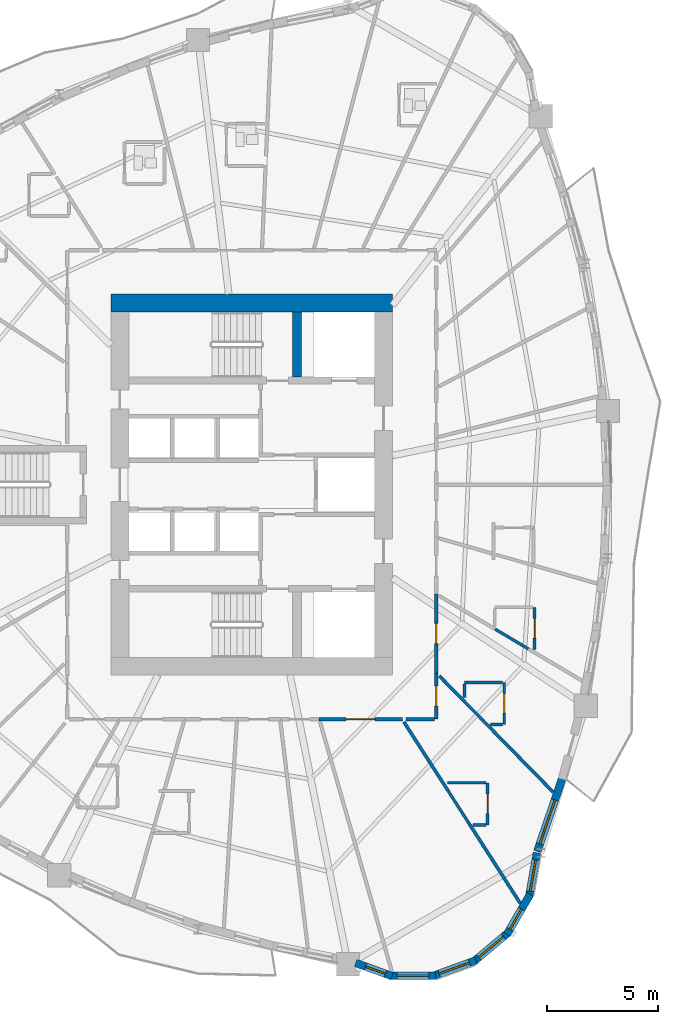
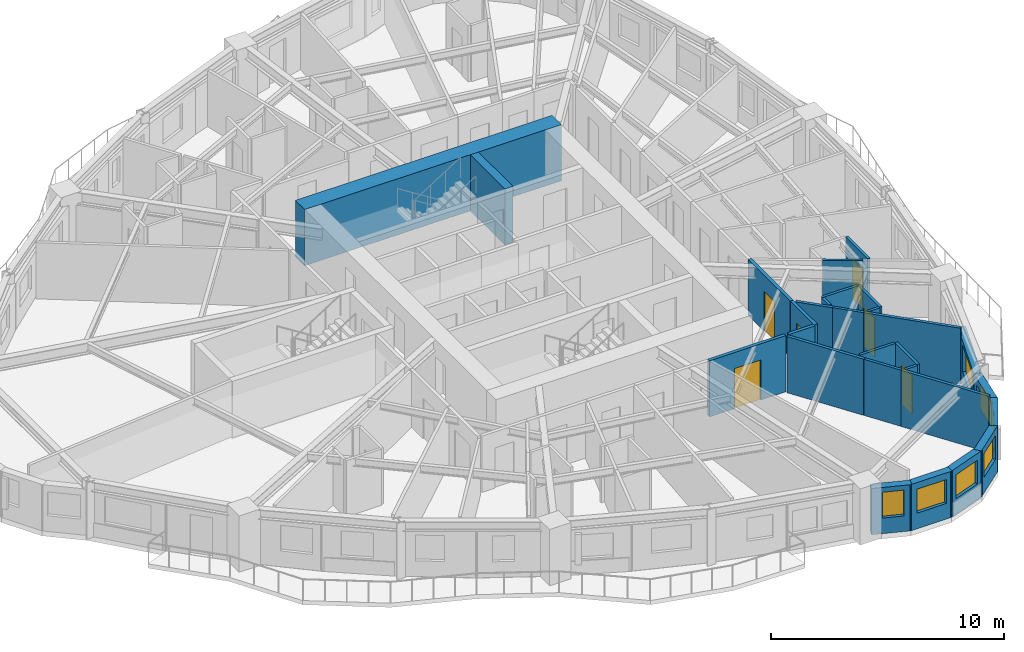
# One storey, part 6 of 14: 28 walls, 7 windows, 6 doors, 13 openings.
"""IFC4 building model written with IfcOpenShell, lengths in metres."""

import ifcopenshell
import ifcopenshell.guid

model = None  # the IFC model being written
_history = None  # IfcOwnerHistory: only IFC2X3 demands one
_inside = {}  # id of a spatial element -> (the spatial element, [elements in it])
_under = {}  # id of a project, library or spatial element -> (it, [spatial elements below it])
_declared = {}  # id of a project -> (the project, [libraries it declares])
_typed = {}  # id of a type object -> (the type object, [elements of that type])
_made_of = {}  # id of a material, layer set ... -> (it, [elements and type objects made of it])


def new_model(schema):
    """Start an empty IFC model of exactly this schema.

    Asked for "IFC4X3", IfcOpenShell would pick the latest addendum, in which some entities
    have other attributes; the version numbers below select the first issue.
    IFC2X3 requires an IfcOwnerHistory on every rooted entity: one is made here for all.
    """
    global model, _history
    if schema == "IFC4X3":
        model = ifcopenshell.file(schema_version=(4, 3, 0, 0))
    else:
        model = ifcopenshell.file(schema=schema)
    _inside.clear()
    _under.clear()
    _declared.clear()
    _typed.clear()
    _made_of.clear()
    _history = None
    if model.schema == "IFC2X3":
        org = make("IfcOrganization", Name="unknown")
        user = make(
            "IfcPersonAndOrganization",
            ThePerson=make("IfcPerson", FamilyName="unknown"),
            TheOrganization=org,
        )
        app = make(
            "IfcApplication",
            ApplicationDeveloper=org,
            Version="unknown",
            ApplicationFullName="unknown",
            ApplicationIdentifier="unknown",
        )
        _history = make(
            "IfcOwnerHistory",
            OwningUser=user,
            OwningApplication=app,
            ChangeAction="ADDED",
            CreationDate=0,
        )
    return model


def make(cls, **values):
    """One entity of the class cls with the attributes given. An attribute that is None is left unset."""
    return model.create_entity(
        cls, **{name: value for name, value in values.items() if value is not None}
    )


def rooted(cls, **values):
    """An entity with a GlobalId (a new one), such as an element, a storey or a relation."""
    return make(cls, GlobalId=ifcopenshell.guid.new(), OwnerHistory=_history, **values)


def si_unit(unit_type, name, prefix=None):
    """IfcSIUnit, for example si_unit("LENGTHUNIT", "METRE", prefix="MILLI")."""
    return make("IfcSIUnit", UnitType=unit_type, Prefix=prefix, Name=name)


def assignment(units):
    """IfcUnitAssignment: the units of a project."""
    return None if units is None else make("IfcUnitAssignment", Units=units)


def point(xyz):
    """IfcCartesianPoint."""
    return None if xyz is None else make("IfcCartesianPoint", Coordinates=xyz)


def direction(xyz):
    """IfcDirection."""
    return None if xyz is None else make("IfcDirection", DirectionRatios=xyz)


def frame(location, z_axis=None, x_axis=None):
    """IfcAxis2Placement3D, a coordinate frame: its origin and axes. An axis left out is left unset."""
    return make(
        "IfcAxis2Placement3D",
        Location=point(location),
        Axis=direction(z_axis),
        RefDirection=direction(x_axis),
    )


def frame_2d(location, x_axis=None):
    """IfcAxis2Placement2D, a coordinate frame in the plane: its origin and x axis."""
    return make(
        "IfcAxis2Placement2D", Location=point(location), RefDirection=direction(x_axis)
    )


def origin():
    """The frame at (0, 0, 0) with its axes left unset."""
    return frame((0.0, 0.0, 0.0))


def place(relative_to, where):
    """IfcLocalPlacement: puts the frame where relative to a parent placement (None: the world)."""
    return make(
        "IfcLocalPlacement", PlacementRelTo=relative_to, RelativePlacement=where
    )


def context(
    kind, dimensions, precision=None, world=None, true_north=None, identifier=None
):
    """IfcGeometricRepresentationContext, for example the 3D "Model" context."""
    return make(
        "IfcGeometricRepresentationContext",
        ContextIdentifier=identifier,
        ContextType=kind,
        CoordinateSpaceDimension=dimensions,
        Precision=precision,
        WorldCoordinateSystem=world,
        TrueNorth=true_north,
    )


def subcontext(parent, identifier, kind, view, scale=None):
    """IfcGeometricRepresentationSubContext, for example "Body" below "Model"."""
    return make(
        "IfcGeometricRepresentationSubContext",
        ContextIdentifier=identifier,
        ContextType=kind,
        ParentContext=parent,
        TargetScale=scale,
        TargetView=view,
    )


def project(units=None, contexts=None):
    """IfcProject with its units and contexts."""
    return rooted(
        "IfcProject",
        Name="project",
        RepresentationContexts=contexts,
        UnitsInContext=assignment(units),
    )


def spatial(cls, under=None, at=None, **own):
    """A site, building, storey or space (cls), placed at a placement, below another one or the project."""
    s = rooted(cls, ObjectPlacement=at, **own)
    if under is not None:
        _under.setdefault(under.id(), (under, []))[1].append(s)
    return s


def profile(cls, at=None, kind="AREA", **sizes):
    """A parametric profile (cls). Its sizes go by their IFC names, for example OverallWidth=200.0."""
    return make(cls, ProfileType=kind, Position=at, **sizes)


def rectangle(**sizes):
    """IfcRectangleProfileDef."""
    return profile("IfcRectangleProfileDef", **sizes)


def extrude(swept, where, along, depth):
    """IfcExtrudedAreaSolid: the profile swept, set in the frame where, extruded along a direction by depth."""
    return make(
        "IfcExtrudedAreaSolid",
        SweptArea=swept,
        Position=where,
        ExtrudedDirection=direction(along),
        Depth=depth,
    )


def shape(context_of_items, identifier, shape_type, items):
    """IfcShapeRepresentation: the items that make up one representation, for example the "Body"."""
    return make(
        "IfcShapeRepresentation",
        ContextOfItems=context_of_items,
        RepresentationIdentifier=identifier,
        RepresentationType=shape_type,
        Items=items,
    )


def source(mapping_origin, context_of_items, identifier, shape_type, items):
    """IfcRepresentationMap: a shape defined once, which mapped items show again and again."""
    return make(
        "IfcRepresentationMap",
        MappingOrigin=mapping_origin,
        MappedRepresentation=shape(context_of_items, identifier, shape_type, items),
    )


def transform(
    local_origin,
    x_axis=None,
    y_axis=None,
    z_axis=None,
    scale=None,
    scale2=None,
    scale3=None,
    uniform=True,
):
    """IfcCartesianTransformationOperator3D, or its non-uniform kind. x_axis, y_axis, z_axis: its Axis1, 2, 3."""
    if uniform:
        return make(
            "IfcCartesianTransformationOperator3D",
            Axis1=direction(x_axis),
            Axis2=direction(y_axis),
            LocalOrigin=point(local_origin),
            Scale=scale,
            Axis3=direction(z_axis),
        )
    return make(
        "IfcCartesianTransformationOperator3DnonUniform",
        Axis1=direction(x_axis),
        Axis2=direction(y_axis),
        LocalOrigin=point(local_origin),
        Scale=scale,
        Axis3=direction(z_axis),
        Scale2=scale2,
        Scale3=scale3,
    )


def mapped(mapping_source, mapping_target):
    """IfcMappedItem: shows the shape of a source again, moved by a transform."""
    return make(
        "IfcMappedItem", MappingSource=mapping_source, MappingTarget=mapping_target
    )


def material(Name=None, Category=None):
    """IfcMaterial."""
    return make("IfcMaterial", Name=Name, Category=Category)


def layer(
    of_material, thickness, ventilated=None, Name=None, Category=None, Priority=None
):
    """IfcMaterialLayer: one layer of a wall or slab, of a material (None: an air gap)."""
    return make(
        "IfcMaterialLayer",
        Material=of_material,
        LayerThickness=thickness,
        IsVentilated=ventilated,
        Name=Name,
        Category=Category,
        Priority=Priority,
    )


def layer_set(layers, Name=None):
    """IfcMaterialLayerSet."""
    return make("IfcMaterialLayerSet", MaterialLayers=layers, LayerSetName=Name)


def made_of(thing, what):
    """Note that an element or type object is made of a material, layer set ...; save() writes the relation."""
    if what is not None:
        _made_of.setdefault(what.id(), (what, []))[1].append(thing)
    return thing


def type_object(cls, material=None, **own):
    """A type object (cls), such as IfcWallType, which elements share."""
    return made_of(rooted(cls, **own), material)


def element(
    cls,
    number,
    at=None,
    inside=None,
    cuts=None,
    type_object=None,
    material=None,
    context=None,
    identifier="Body",
    shape_type=None,
    held_by="IfcProductDefinitionShape",
    body=None,
    shapes=None,
    **own,
):
    """One element of the class cls, such as IfcWall. Its Tag is "e" and its number.

    at: its placement. inside: the storey or other place that contains it. cuts: it is an
    opening in that element (IfcRelVoidsElement). A single representation is given by context,
    identifier, shape_type and body (its items); several are given by shapes. held_by: the class
    of the entity that holds the representations. save() writes the other relations.
    """
    e = rooted(cls, Tag="e%d" % number, ObjectPlacement=at, **own)
    if body is not None:
        shapes = [shape(context, identifier, shape_type, body)]
    if shapes is not None:
        e.Representation = make(held_by, Representations=shapes)
    if inside is not None:
        _inside.setdefault(inside.id(), (inside, []))[1].append(e)
    if cuts is not None:
        rooted(
            "IfcRelVoidsElement", RelatingBuildingElement=cuts, RelatedOpeningElement=e
        )
    if type_object is not None:
        _typed.setdefault(type_object.id(), (type_object, []))[1].append(e)
    return made_of(e, material)


def fill(opening, filler):
    """IfcRelFillsElement: the door or window that sits in an opening."""
    return rooted(
        "IfcRelFillsElement",
        RelatingOpeningElement=opening,
        RelatedBuildingElement=filler,
    )


def aggregate(whole, parts):
    """IfcRelAggregates: a whole, such as a stair, and the parts it consists of."""
    return rooted("IfcRelAggregates", RelatingObject=whole, RelatedObjects=parts)


def save(model, path):
    """Write the relations noted so far, then the file.

    IfcRelAggregates (storeys below a building ...), IfcRelContainedInSpatialStructure (elements
    in a storey), IfcRelDefinesByType, IfcRelAssociatesMaterial and IfcRelDeclares: one each for
    every whole, place, type object, material and project.
    """
    for whole, parts in _under.values():
        aggregate(whole, parts)
    for where, things in _inside.values():
        rooted(
            "IfcRelContainedInSpatialStructure",
            RelatedElements=things,
            RelatingStructure=where,
        )
    for kind, things in _typed.values():
        rooted("IfcRelDefinesByType", RelatedObjects=things, RelatingType=kind)
    for what, things in _made_of.values():
        rooted("IfcRelAssociatesMaterial", RelatedObjects=things, RelatingMaterial=what)
    for by, libraries in _declared.values():
        rooted("IfcRelDeclares", RelatingContext=by, RelatedDefinitions=libraries)
    model.write(path)


model = new_model("IFC4")

# Units and contexts
model_context = context("Model", 3, precision=1e-05, world=origin(), true_north=direction((0.0, 1.0)))
body_context = subcontext(model_context, "Body", "Model", "MODEL_VIEW")
ifc_project = project(units=[si_unit("LENGTHUNIT", "METRE"), si_unit("AREAUNIT", "SQUARE_METRE"), si_unit("VOLUMEUNIT", "CUBIC_METRE"), si_unit("PLANEANGLEUNIT", "RADIAN"), si_unit("MASSUNIT", "GRAM", prefix="KILO")], contexts=[model_context])

# Site, building, storey
site_placement = place(None, origin())
site = spatial("IfcSite", under=ifc_project, at=site_placement, CompositionType="ELEMENT")
building_placement = place(site_placement, origin())
building = spatial("IfcBuilding", under=site, at=building_placement, Name="Qafzar Sky-Pleat Residences", CompositionType="ELEMENT")
storey_placement = place(building_placement, frame((0.0, 0.0, 14.199951171875)))
storey = spatial("IfcBuildingStorey", under=building, at=storey_placement, Name="L03", CompositionType="ELEMENT", Elevation=14.199951171875)

# Wall, opening, door
ifc_material_1 = material(Name="Acoustic gypsum plasterboard partition", Category="gypsum")
ifc_layer_1 = layer(ifc_material_1, 0.159912109375)
ifc_layer_set_1 = layer_set([ifc_layer_1], Name="Acoustic gypsum plasterboard partition")
wall_type_1 = type_object("IfcWallType", Name="PART-COR-160", PredefinedType="PARTITIONING", material=ifc_layer_set_1)
wall_1_placement = place(storey_placement, frame((37.154052734375, 15.419921875, 0.0), z_axis=(0.0, 0.0, 1.0), x_axis=(-1.0, 0.0, 0.0)))
wall_1 = element("IfcWall", 1, at=wall_1_placement, inside=storey, type_object=wall_type_1, Name="L03 Partition Wall PART-L03-PW-002", PredefinedType="PARTITIONING", context=body_context, shape_type="SweptSolid", body=[
    extrude(rectangle(XDim=3.774169921875, YDim=0.159912109375, at=frame_2d((1.88720703125, 0.0))), origin(), (0.0, 0.0, 1.0), 2.93994140625),
])
opening_1_placement = place(wall_1_placement, frame((1.238525390625, 0.0, 0.0)))
opening_1 = element("IfcOpeningElement", 2, at=opening_1_placement, cuts=wall_1, Name="Opening ID-05", PredefinedType="OPENING", context=body_context, shape_type="SweptSolid", body=[
    extrude(rectangle(XDim=1.300048828125, YDim=2.10009765625, at=frame_2d((0.64990234375, 1.050048828125))), frame((0.0, 0.08984375, 0.0), z_axis=(0.0, -1.0, 0.0), x_axis=(1.0, 0.0, 0.0)), (0.0, 0.0, 1.0), 0.179931640625),
])
ifc_material_2 = material(Name="Timber-faced fire door", Category="wood")
door_type_1 = type_object("IfcDoorType", Name="DR-LNG-1300", OperationType="DOUBLE_DOOR_SINGLE_SWING", PredefinedType="DOOR", material=ifc_material_2)
shared_shape_1 = source(origin(), body_context, "Body", "SweptSolid", [
    extrude(rectangle(XDim=1.300048828125, YDim=2.10009765625, at=frame_2d((0.64990234375, 1.050048828125))), frame((0.0, 0.02490234375, 0.0), z_axis=(0.0, -1.0, 0.0), x_axis=(1.0, 0.0, 0.0)), (0.0, 0.0, 1.0), 0.050048828125),
])
door_1_placement = place(opening_1_placement, origin())
door_1 = element("IfcDoor", 3, at=door_1_placement, inside=storey, type_object=door_type_1, Name="L03 Co-Living Lounge Door", OperationType="DOUBLE_DOOR_SINGLE_SWING", OverallHeight=2.10009765625, OverallWidth=1.300048828125, PredefinedType="DOOR", context=body_context, shape_type="MappedRepresentation", body=[
    mapped(shared_shape_1, transform((0.0, 0.0, 0.0), x_axis=(1.0, 0.0, 0.0), y_axis=(0.0, 1.0, 0.0), z_axis=(0.0, 0.0, 1.0), scale=1.0)),
])
fill(opening_1, door_1)

wall_2_placement = place(storey_placement, frame((38.679931640625, 21.072998046875, 0.0), z_axis=(0.0, 0.0, 1.0), x_axis=(0.0, -1.0, 0.0)))
wall_2 = element("IfcWall", 4, at=wall_2_placement, inside=storey, type_object=wall_type_1, Name="L03 Partition Wall PART-L03-PW-004", PredefinedType="PARTITIONING", context=body_context, shape_type="SweptSolid", body=[
    extrude(rectangle(XDim=3.589111328125, YDim=0.159912109375, at=frame_2d((1.79443359375, 0.0))), origin(), (0.0, 0.0, 1.0), 2.93994140625),
])
opening_2_placement = place(wall_2_placement, frame((1.3330078125, 0.0, 0.0)))
opening_2 = element("IfcOpeningElement", 5, at=opening_2_placement, cuts=wall_2, Name="Opening ID-04", PredefinedType="OPENING", context=body_context, shape_type="SweptSolid", body=[
    extrude(rectangle(XDim=0.919921875, YDim=2.10009765625, at=frame_2d((0.4599609375, 1.050048828125))), frame((0.0, 0.08984375, 0.0), z_axis=(0.0, -1.0, 0.0), x_axis=(1.0, 0.0, 0.0)), (0.0, 0.0, 1.0), 0.179931640625),
])
door_type_2 = type_object("IfcDoorType", Name="DR-BED-920", OperationType="NOTDEFINED", PredefinedType="DOOR", material=ifc_material_2)
shared_shape_2 = source(origin(), body_context, "Body", "SweptSolid", [
    extrude(rectangle(XDim=0.919921875, YDim=2.10009765625, at=frame_2d((0.4599609375, 1.050048828125))), frame((0.0, 0.02490234375, 0.0), z_axis=(0.0, -1.0, 0.0), x_axis=(1.0, 0.0, 0.0)), (0.0, 0.0, 1.0), 0.050048828125),
])
door_2_placement = place(opening_2_placement, origin())
door_2 = element("IfcDoor", 6, at=door_2_placement, inside=storey, type_object=door_type_2, Name="L03 Co-Living Bedroom 18 Door", OperationType="SINGLE_SWING_LEFT", OverallHeight=2.10009765625, OverallWidth=0.919921875, PredefinedType="DOOR", context=body_context, shape_type="MappedRepresentation", body=[
    mapped(shared_shape_2, transform((0.0, 0.0, 0.0), x_axis=(1.0, 0.0, 0.0), y_axis=(0.0, 1.0, 0.0), z_axis=(0.0, 0.0, 1.0), scale=1.0)),
])
fill(opening_2, door_2)

wall_3_placement = place(storey_placement, frame((38.679931640625, 17.468994140625, 0.0), z_axis=(0.0, 0.0, 1.0), x_axis=(0.0, -1.0, 0.0)))
wall_3 = element("IfcWall", 7, at=wall_3_placement, inside=storey, type_object=wall_type_1, Name="L03 Partition Wall PART-L03-PW-022", PredefinedType="PARTITIONING", context=body_context, shape_type="SweptSolid", body=[
    extrude(rectangle(XDim=2.049072265625, YDim=0.159912109375, at=frame_2d((1.0244140625, 0.0))), origin(), (0.0, 0.0, 1.0), 2.93994140625),
])
opening_3_placement = place(wall_3_placement, frame((0.54638671875, 0.0, 0.0)))
opening_3 = element("IfcOpeningElement", 8, at=opening_3_placement, cuts=wall_3, Name="Opening ID-04", PredefinedType="OPENING", context=body_context, shape_type="SweptSolid", body=[
    extrude(rectangle(XDim=0.919921875, YDim=2.10009765625, at=frame_2d((0.4599609375, 1.050048828125))), frame((0.0, 0.08984375, 0.0), z_axis=(0.0, -1.0, 0.0), x_axis=(1.0, 0.0, 0.0)), (0.0, 0.0, 1.0), 0.179931640625),
])
door_3_placement = place(opening_3_placement, origin())
door_3 = element("IfcDoor", 9, at=door_3_placement, inside=storey, type_object=door_type_2, Name="L03 Co-Living Bedroom 17 Door", OperationType="SINGLE_SWING_RIGHT", OverallHeight=2.10009765625, OverallWidth=0.919921875, PredefinedType="DOOR", context=body_context, shape_type="MappedRepresentation", body=[
    mapped(shared_shape_2, transform((0.0, 0.0, 0.0), x_axis=(1.0, 0.0, 0.0), y_axis=(0.0, 1.0, 0.0), z_axis=(0.0, 0.0, 1.0), scale=1.0)),
])
fill(opening_3, door_3)

# Walls
wall_4_placement = place(storey_placement, frame((37.314453125, 15.419921875, 0.0), z_axis=(0.0, 0.0, 1.0), x_axis=(1.0, 0.0, 0.0)))
element("IfcWall", 10, at=wall_4_placement, inside=storey, type_object=wall_type_1, Name="L03 Partition Wall PART-L03-PW-099", PredefinedType="PARTITIONING", context=body_context, shape_type="SweptSolid", body=[
    extrude(rectangle(XDim=1.277587890625, YDim=0.159912109375, at=frame_2d((0.638671875, 0.0))), origin(), (0.0, 0.0, 1.0), 2.93994140625),
])
ifc_layer_2 = layer(ifc_material_1, 0.14501953125)
ifc_layer_set_2 = layer_set([ifc_layer_2], Name="Acoustic gypsum plasterboard partition")
wall_type_2 = type_object("IfcWallType", Name="PART-UNIT-145", PredefinedType="PARTITIONING", material=ifc_layer_set_2)
wall_5_placement = place(storey_placement, frame((40.949951171875, 15.18994140625, 0.0), z_axis=(0.0, 0.0, 1.0), x_axis=(0.700142401903, -0.714003233226, 0.0)))
element("IfcWall", 11, at=wall_5_placement, inside=storey, type_object=wall_type_2, Name="L03 Partition Wall PART-L03-PW-058", PredefinedType="PARTITIONING", context=body_context, shape_type="SweptSolid", body=[
    extrude(rectangle(XDim=4.2978515625, YDim=0.14501953125, at=frame_2d((2.14892578125, 0.0))), origin(), (0.0, 0.0, 1.0), 2.93994140625),
])
wall_6_placement = place(storey_placement, frame((40.19091796875, 10.657958984375, 0.0), z_axis=(0.0, 0.0, 1.0), x_axis=(0.539757550566, -0.841820519236, 0.0)))
element("IfcWall", 12, at=wall_6_placement, inside=storey, type_object=wall_type_2, Name="L03 Partition Wall PART-L03-PW-059", PredefinedType="PARTITIONING", context=body_context, shape_type="SweptSolid", body=[
    extrude(rectangle(XDim=4.221435546875, YDim=0.14501953125, at=frame_2d((2.11083984375, 0.0))), origin(), (0.0, 0.0, 1.0), 2.93994140625),
])
wall_7_placement = place(storey_placement, frame((37.216796875, 15.294189453125, 0.0), z_axis=(0.0, 0.0, 1.0), x_axis=(0.539878709929, -0.841742822105, 0.0)))
element("IfcWall", 13, at=wall_7_placement, inside=storey, type_object=wall_type_2, Name="L03 Partition Wall PART-L03-PW-060", PredefinedType="PARTITIONING", context=body_context, shape_type="SweptSolid", body=[
    extrude(rectangle(XDim=3.693603515625, YDim=0.14501953125, at=frame_2d((1.8466796875, 0.0))), origin(), (0.0, 0.0, 1.0), 2.93994140625),
])
wall_8_placement = place(storey_placement, frame((38.8173828125, 17.364990234375, 0.0), z_axis=(0.0, 0.0, 1.0), x_axis=(0.70029627305, -0.713852316626, 0.0)))
element("IfcWall", 14, at=wall_8_placement, inside=storey, type_object=wall_type_2, Name="L03 Partition Wall PART-L03-PW-078", PredefinedType="PARTITIONING", context=body_context, shape_type="SweptSolid", body=[
    extrude(rectangle(XDim=1.638916015625, YDim=0.14501953125, at=frame_2d((0.8193359375, 0.0))), origin(), (0.0, 0.0, 1.0), 2.93994140625),
])

# Wall, opening, door
ifc_material_3 = material(Name="Moisture-resistant gypsum partition", Category="gypsum")
ifc_layer_3 = layer(ifc_material_3, 0.1298828125)
ifc_layer_set_3 = layer_set([ifc_layer_3], Name="Moisture-resistant gypsum partition")
wall_type_3 = type_object("IfcWallType", Name="PART-WET-130", PredefinedType="PARTITIONING", material=ifc_layer_set_3)
wall_9_placement = place(storey_placement, frame((43.1201171875, 18.56591796875, 0.0), z_axis=(0.0, 0.0, 1.0), x_axis=(0.0, 1.0, 0.0)))
wall_9 = element("IfcWall", 15, at=wall_9_placement, inside=storey, type_object=wall_type_3, Name="L03 Partition Wall PART-L03-PW-024", PredefinedType="PARTITIONING", context=body_context, shape_type="SweptSolid", body=[
    extrude(rectangle(XDim=1.900146484375, YDim=0.1298828125, at=frame_2d((0.9501953125, 0.0))), origin(), (0.0, 0.0, 1.0), 2.93994140625),
])
opening_4_placement = place(wall_9_placement, frame((0.510009765625, 0.0, 0.0)))
opening_4 = element("IfcOpeningElement", 16, at=opening_4_placement, cuts=wall_9, Name="Opening ID-07", PredefinedType="OPENING", context=body_context, shape_type="SweptSolid", body=[
    extrude(rectangle(XDim=0.8798828125, YDim=2.050048828125, at=frame_2d((0.43994140625, 1.02490234375))), frame((0.0, 0.074951171875, 0.0), z_axis=(0.0, -1.0, 0.0), x_axis=(1.0, 0.0, 0.0)), (0.0, 0.0, 1.0), 0.14990234375),
])
door_type_3 = type_object("IfcDoorType", Name="DR-WET-880", OperationType="NOTDEFINED", PredefinedType="DOOR", material=ifc_material_2)
shared_shape_3 = source(origin(), body_context, "Body", "SweptSolid", [
    extrude(rectangle(XDim=0.8798828125, YDim=2.050048828125, at=frame_2d((0.43994140625, 1.02490234375))), frame((0.0, 0.02490234375, 0.0), z_axis=(0.0, -1.0, 0.0), x_axis=(1.0, 0.0, 0.0)), (0.0, 0.0, 1.0), 0.050048828125),
])
door_4_placement = place(opening_4_placement, origin())
door_4 = element("IfcDoor", 17, at=door_4_placement, inside=storey, type_object=door_type_3, Name="L03 En-suite Bathroom 19 Door", OperationType="SINGLE_SWING_RIGHT", OverallHeight=2.050048828125, OverallWidth=0.8798828125, PredefinedType="DOOR", context=body_context, shape_type="MappedRepresentation", body=[
    mapped(shared_shape_3, transform((0.0, 0.0, 0.0), x_axis=(1.0, 0.0, 0.0), y_axis=(0.0, 1.0, 0.0), z_axis=(0.0, 0.0, 1.0), scale=1.0)),
])
fill(opening_4, door_4)

wall_10_placement = place(storey_placement, frame((40.99609375, 10.64306640625, 0.0), z_axis=(0.0, 0.0, 1.0), x_axis=(0.0, 1.0, 0.0)))
wall_10 = element("IfcWall", 18, at=wall_10_placement, inside=storey, type_object=wall_type_3, Name="L03 Partition Wall PART-L03-PW-033", PredefinedType="PARTITIONING", context=body_context, shape_type="SweptSolid", body=[
    extrude(rectangle(XDim=1.89990234375, YDim=0.1298828125, at=frame_2d((0.949951171875, 0.0))), origin(), (0.0, 0.0, 1.0), 2.93994140625),
])
opening_5_placement = place(wall_10_placement, frame((0.510009765625, 0.0, 0.0)))
opening_5 = element("IfcOpeningElement", 19, at=opening_5_placement, cuts=wall_10, Name="Opening ID-07", PredefinedType="OPENING", context=body_context, shape_type="SweptSolid", body=[
    extrude(rectangle(XDim=0.8798828125, YDim=2.050048828125, at=frame_2d((0.43994140625, 1.02490234375))), frame((0.0, 0.074951171875, 0.0), z_axis=(0.0, -1.0, 0.0), x_axis=(1.0, 0.0, 0.0)), (0.0, 0.0, 1.0), 0.14990234375),
])
door_5_placement = place(opening_5_placement, origin())
door_5 = element("IfcDoor", 20, at=door_5_placement, inside=storey, type_object=door_type_3, Name="L03 En-suite Bathroom 17 Door", OperationType="SINGLE_SWING_LEFT", OverallHeight=2.050048828125, OverallWidth=0.8798828125, PredefinedType="DOOR", context=body_context, shape_type="MappedRepresentation", body=[
    mapped(shared_shape_3, transform((0.0, 0.0, 0.0), x_axis=(1.0, 0.0, 0.0), y_axis=(0.0, 1.0, 0.0), z_axis=(0.0, 0.0, 1.0), scale=1.0)),
])
fill(opening_5, door_5)

wall_11_placement = place(storey_placement, frame((41.75, 15.175048828125, 0.0), z_axis=(0.0, 0.0, 1.0), x_axis=(0.0, 1.0, 0.0)))
wall_11 = element("IfcWall", 21, at=wall_11_placement, inside=storey, type_object=wall_type_3, Name="L03 Partition Wall PART-L03-PW-034", PredefinedType="PARTITIONING", context=body_context, shape_type="SweptSolid", body=[
    extrude(rectangle(XDim=1.89990234375, YDim=0.1298828125, at=frame_2d((0.949951171875, 0.0))), origin(), (0.0, 0.0, 1.0), 2.93994140625),
])
opening_6_placement = place(wall_11_placement, frame((0.510009765625, 0.0, 0.0)))
opening_6 = element("IfcOpeningElement", 22, at=opening_6_placement, cuts=wall_11, Name="Opening ID-07", PredefinedType="OPENING", context=body_context, shape_type="SweptSolid", body=[
    extrude(rectangle(XDim=0.8798828125, YDim=2.050048828125, at=frame_2d((0.43994140625, 1.02490234375))), frame((0.0, 0.074951171875, 0.0), z_axis=(0.0, -1.0, 0.0), x_axis=(1.0, 0.0, 0.0)), (0.0, 0.0, 1.0), 0.14990234375),
])
door_6_placement = place(opening_6_placement, origin())
door_6 = element("IfcDoor", 23, at=door_6_placement, inside=storey, type_object=door_type_3, Name="L03 En-suite Bathroom 18 Door", OperationType="SINGLE_SWING_RIGHT", OverallHeight=2.050048828125, OverallWidth=0.8798828125, PredefinedType="DOOR", context=body_context, shape_type="MappedRepresentation", body=[
    mapped(shared_shape_3, transform((0.0, 0.0, 0.0), x_axis=(1.0, 0.0, 0.0), y_axis=(0.0, 1.0, 0.0), z_axis=(0.0, 0.0, 1.0), scale=1.0)),
])
fill(opening_6, door_6)

# Walls
for number, where, z_axis, x_axis, name in (
    (24, (39.196044921875, 12.54296875, 0.0), (0.0, 0.0, 1.0), (1.0, 0.0, 0.0), "L03 Partition Wall PART-L03-PW-081"),
    (25, (39.949951171875, 17.074951171875, 0.0), (0.0, 0.0, 1.0), (1.0, 0.0, 0.0), "L03 Partition Wall PART-L03-PW-089"),
):
    element("IfcWall", number, at=place(storey_placement, frame(where, z_axis=z_axis, x_axis=x_axis)), inside=storey, type_object=wall_type_3, Name=name, PredefinedType="PARTITIONING", context=body_context, shape_type="SweptSolid", body=[
        extrude(rectangle(XDim=1.72705078125, YDim=0.1298828125, at=frame_2d((0.863525390625, 0.0))), origin(), (0.0, 0.0, 1.0), 2.93994140625),
    ])
wall_12_placement = place(storey_placement, frame((39.21923828125, 12.17236328125, 0.0), z_axis=(0.0, 0.0, 1.0), x_axis=(0.539899826285, -0.84172927808, 0.0)))
element("IfcWall", 26, at=wall_12_placement, inside=storey, type_object=wall_type_3, Name="L03 Partition Wall PART-L03-PW-091", PredefinedType="PARTITIONING", context=body_context, shape_type="SweptSolid", body=[
    extrude(rectangle(XDim=1.784423828125, YDim=0.1298828125, at=frame_2d((0.89208984375, 0.0))), origin(), (0.0, 0.0, 1.0), 2.93994140625),
])
wall_13_placement = place(storey_placement, frame((41.347900390625, 19.471435546875, 0.0), z_axis=(0.0, 0.0, 1.0), x_axis=(0.859825694404, -0.510587676352, 0.0)))
element("IfcWall", 27, at=wall_13_placement, inside=storey, type_object=wall_type_3, Name="L03 Partition Wall PART-L03-PW-093", PredefinedType="PARTITIONING", context=body_context, shape_type="SweptSolid", body=[
    extrude(rectangle(XDim=1.7294921875, YDim=0.1298828125, at=frame_2d((0.86474609375, 0.0))), origin(), (0.0, 0.0, 1.0), 2.93994140625),
])
wall_14_placement = place(storey_placement, frame((39.97509765625, 16.18408203125, 0.0), z_axis=(0.0, 0.0, 1.0), x_axis=(0.700338966049, -0.713810431861, 0.0)))
element("IfcWall", 28, at=wall_14_placement, inside=storey, type_object=wall_type_3, Name="L03 Partition Wall PART-L03-PW-101", PredefinedType="PARTITIONING", context=body_context, shape_type="SweptSolid", body=[
    extrude(rectangle(XDim=1.37744140625, YDim=0.1298828125, at=frame_2d((0.688720703125, 0.0))), origin(), (0.0, 0.0, 1.0), 2.93994140625),
])
wall_15_placement = place(storey_placement, frame((39.949951171875, 16.3876953125, 0.0), z_axis=(0.0, 0.0, 1.0), x_axis=(0.0, 1.0, 0.0)))
element("IfcWall", 29, at=wall_15_placement, inside=storey, type_object=wall_type_3, Name="L03 Partition Wall PART-L03-PW-111", PredefinedType="PARTITIONING", context=body_context, shape_type="SweptSolid", body=[
    extrude(rectangle(XDim=0.6142578125, YDim=0.1298828125, at=frame_2d((0.30712890625, 0.0))), origin(), (0.0, 0.0, 1.0), 2.93994140625),
])
wall_16_placement = place(storey_placement, frame((40.335693359375, 10.64306640625, 0.0), z_axis=(0.0, 0.0, 1.0), x_axis=(1.0, 0.0, 0.0)))
element("IfcWall", 30, at=wall_16_placement, inside=storey, type_object=wall_type_3, Name="L03 Partition Wall PART-L03-PW-112", PredefinedType="PARTITIONING", context=body_context, shape_type="SweptSolid", body=[
    extrude(rectangle(XDim=0.58740234375, YDim=0.1298828125, at=frame_2d((0.293701171875, 0.0))), origin(), (0.0, 0.0, 1.0), 2.93994140625),
])
wall_17_placement = place(storey_placement, frame((41.13818359375, 15.175048828125, 0.0), z_axis=(0.0, 0.0, 1.0), x_axis=(1.0, 0.0, 0.0)))
element("IfcWall", 31, at=wall_17_placement, inside=storey, type_object=wall_type_3, Name="L03 Partition Wall PART-L03-PW-113", PredefinedType="PARTITIONING", context=body_context, shape_type="SweptSolid", body=[
    extrude(rectangle(XDim=0.538818359375, YDim=0.1298828125, at=frame_2d((0.26953125, 0.0))), origin(), (0.0, 0.0, 1.0), 2.93994140625),
])

# Wall, opening, window
ifc_material_4 = material(Name="Precast concrete C40/50 with honed Riyadh limestone", Category="concrete")
ifc_layer_4 = layer(ifc_material_4, 0.35009765625)
ifc_layer_set_4 = layer_set([ifc_layer_4], Name="Precast concrete C40/50 with honed Riyadh limestone")
wall_type_4 = type_object("IfcWallType", Name="WALL-EXT-350", PredefinedType="SOLIDWALL", material=ifc_layer_set_4)
wall_18_placement = place(storey_placement, frame((35.041748046875, 4.4111328125, 0.0), z_axis=(0.0, 0.0, 1.0), x_axis=(0.9396916908, -0.34202269843, 0.0)))
wall_18 = element("IfcWall", 32, at=wall_18_placement, inside=storey, type_object=wall_type_4, Name="L03 Limestone Facade Wall 17", PredefinedType="SOLIDWALL", context=body_context, shape_type="SweptSolid", body=[
    extrude(rectangle(XDim=1.75244140625, YDim=0.35009765625, at=frame_2d((0.876220703125, 0.0))), origin(), (0.0, 0.0, 1.0), 2.420166015625),
])
opening_7_placement = place(wall_18_placement, frame((0.476318359375, 0.0, 0.820068359375)))
opening_7 = element("IfcOpeningElement", 33, at=opening_7_placement, cuts=wall_18, Name="Opening WN-12", PredefinedType="OPENING", context=body_context, shape_type="SweptSolid", body=[
    extrude(rectangle(XDim=0.949951171875, YDim=1.35009765625, at=frame_2d((0.47509765625, 0.675048828125))), frame((0.0, 0.18505859375, 0.0), z_axis=(0.0, -1.0, 0.0), x_axis=(1.0, 0.0, 0.0)), (0.0, 0.0, 1.0), 0.3701171875),
])
ifc_material_5 = material(Name="Solar-control low-E glass in bronze aluminium frame", Category="glass")
window_type_1 = type_object("IfcWindowType", Name="WIN-12", PartitioningType="SINGLE_PANEL", PredefinedType="WINDOW", material=ifc_material_5)
shared_shape_4 = source(origin(), body_context, "Body", "SweptSolid", [
    extrude(rectangle(XDim=0.949951171875, YDim=1.35009765625, at=frame_2d((0.47509765625, 0.675048828125))), frame((0.0, 0.030029296875, 0.0), z_axis=(0.0, -1.0, 0.0), x_axis=(1.0, 0.0, 0.0)), (0.0, 0.0, 1.0), 0.06005859375),
])
window_1_placement = place(opening_7_placement, origin())
window_1 = element("IfcWindow", 34, at=window_1_placement, inside=storey, type_object=window_type_1, Name="L03 Punched Facade Window 17", OverallHeight=1.35009765625, OverallWidth=0.949951171875, PartitioningType="SINGLE_PANEL", PredefinedType="WINDOW", context=body_context, shape_type="MappedRepresentation", body=[
    mapped(shared_shape_4, transform((0.0, 0.0, 0.0), x_axis=(1.0, 0.0, 0.0), y_axis=(0.0, 1.0, 0.0), z_axis=(0.0, 0.0, 1.0), scale=1.0)),
])
fill(opening_7, window_1)

wall_19_placement = place(storey_placement, frame((36.5546875, 3.83544921875, 0.0), z_axis=(0.0, 0.0, 1.0), x_axis=(1.0, 0.0, 0.0)))
wall_19 = element("IfcWall", 35, at=wall_19_placement, inside=storey, type_object=wall_type_4, Name="L03 Limestone Facade Wall 18", PredefinedType="SOLIDWALL", context=body_context, shape_type="SweptSolid", body=[
    extrude(rectangle(XDim=2.090576171875, YDim=0.35009765625, at=frame_2d((1.04541015625, 0.0))), origin(), (0.0, 0.0, 1.0), 2.420166015625),
])
opening_8_placement = place(wall_19_placement, frame((0.343994140625, 0.0, 0.820068359375)))
opening_8 = element("IfcOpeningElement", 36, at=opening_8_placement, cuts=wall_19, Name="Opening WN-15", PredefinedType="OPENING", context=body_context, shape_type="SweptSolid", body=[
    extrude(rectangle(XDim=1.449951171875, YDim=1.25, at=frame_2d((0.72509765625, 0.625))), frame((0.0, 0.18505859375, 0.0), z_axis=(0.0, -1.0, 0.0), x_axis=(1.0, 0.0, 0.0)), (0.0, 0.0, 1.0), 0.3701171875),
])
window_type_2 = type_object("IfcWindowType", Name="WIN-15", PartitioningType="SINGLE_PANEL", PredefinedType="WINDOW", material=ifc_material_5)
shared_shape_5 = source(origin(), body_context, "Body", "SweptSolid", [
    extrude(rectangle(XDim=1.449951171875, YDim=1.25, at=frame_2d((0.72509765625, 0.625))), frame((0.0, 0.030029296875, 0.0), z_axis=(0.0, -1.0, 0.0), x_axis=(1.0, 0.0, 0.0)), (0.0, 0.0, 1.0), 0.06005859375),
])
window_2_placement = place(opening_8_placement, origin())
window_2 = element("IfcWindow", 37, at=window_2_placement, inside=storey, type_object=window_type_2, Name="L03 Punched Facade Window 18", OverallHeight=1.25, OverallWidth=1.449951171875, PartitioningType="SINGLE_PANEL", PredefinedType="WINDOW", context=body_context, shape_type="MappedRepresentation", body=[
    mapped(shared_shape_5, transform((0.0, 0.0, 0.0), x_axis=(1.0, 0.0, 0.0), y_axis=(0.0, 1.0, 0.0), z_axis=(0.0, 0.0, 1.0), scale=1.0)),
])
fill(opening_8, window_2)

wall_20_placement = place(storey_placement, frame((38.51171875, 3.811767578125, 0.0), z_axis=(0.0, 0.0, 1.0), x_axis=(0.939660353162, 0.342108784886, 0.0)))
wall_20 = element("IfcWall", 38, at=wall_20_placement, inside=storey, type_object=wall_type_4, Name="L03 Limestone Facade Wall 19", PredefinedType="SOLIDWALL", context=body_context, shape_type="SweptSolid", body=[
    extrude(rectangle(XDim=2.09033203125, YDim=0.35009765625, at=frame_2d((1.045166015625, 0.0))), origin(), (0.0, 0.0, 1.0), 2.420166015625),
])
opening_9_placement = place(wall_20_placement, frame((0.3203125, 0.0, 0.820068359375)))
opening_9 = element("IfcOpeningElement", 39, at=opening_9_placement, cuts=wall_20, Name="Opening WN-15", PredefinedType="OPENING", context=body_context, shape_type="SweptSolid", body=[
    extrude(rectangle(XDim=1.449951171875, YDim=1.25, at=frame_2d((0.72509765625, 0.625))), frame((0.0, 0.18505859375, 0.0), z_axis=(0.0, -1.0, 0.0), x_axis=(1.0, 0.0, 0.0)), (0.0, 0.0, 1.0), 0.3701171875),
])
window_3_placement = place(opening_9_placement, origin())
window_3 = element("IfcWindow", 40, at=window_3_placement, inside=storey, type_object=window_type_2, Name="L03 Punched Facade Window 19", OverallHeight=1.25, OverallWidth=1.449951171875, PartitioningType="SINGLE_PANEL", PredefinedType="WINDOW", context=body_context, shape_type="MappedRepresentation", body=[
    mapped(shared_shape_5, transform((0.0, 0.0, 0.0), x_axis=(1.0, 0.0, 0.0), y_axis=(0.0, 1.0, 0.0), z_axis=(0.0, 0.0, 1.0), scale=1.0)),
])
fill(opening_9, window_3)

wall_21_placement = place(storey_placement, frame((40.3583984375, 4.458984375, 0.0), z_axis=(0.0, 0.0, 1.0), x_axis=(0.766082082368, 0.642742750308, 0.0)))
wall_21 = element("IfcWall", 41, at=wall_21_placement, inside=storey, type_object=wall_type_4, Name="L03 Limestone Facade Wall 20", PredefinedType="SOLIDWALL", context=body_context, shape_type="SweptSolid", body=[
    extrude(rectangle(XDim=2.09033203125, YDim=0.35009765625, at=frame_2d((1.045166015625, 0.0))), origin(), (0.0, 0.0, 1.0), 2.420166015625),
])
opening_10_placement = place(wall_21_placement, frame((0.3203125, 0.0, 0.820068359375)))
opening_10 = element("IfcOpeningElement", 42, at=opening_10_placement, cuts=wall_21, Name="Opening WN-15", PredefinedType="OPENING", context=body_context, shape_type="SweptSolid", body=[
    extrude(rectangle(XDim=1.449951171875, YDim=1.25, at=frame_2d((0.72509765625, 0.625))), frame((0.0, 0.18505859375, 0.0), z_axis=(0.0, -1.0, 0.0), x_axis=(1.0, 0.0, 0.0)), (0.0, 0.0, 1.0), 0.3701171875),
])
window_4_placement = place(opening_10_placement, origin())
window_4 = element("IfcWindow", 43, at=window_4_placement, inside=storey, type_object=window_type_2, Name="L03 Punched Facade Window 20", OverallHeight=1.25, OverallWidth=1.449951171875, PartitioningType="SINGLE_PANEL", PredefinedType="WINDOW", context=body_context, shape_type="MappedRepresentation", body=[
    mapped(shared_shape_5, transform((0.0, 0.0, 0.0), x_axis=(1.0, 0.0, 0.0), y_axis=(0.0, 1.0, 0.0), z_axis=(0.0, 0.0, 1.0), scale=1.0)),
])
fill(opening_10, window_4)

wall_22_placement = place(storey_placement, frame((41.87255859375, 5.69873046875, 0.0), z_axis=(0.0, 0.0, 1.0), x_axis=(0.49990781971, 0.866078617559, 0.0)))
wall_22 = element("IfcWall", 44, at=wall_22_placement, inside=storey, type_object=wall_type_4, Name="L03 Limestone Facade Wall 21", PredefinedType="SOLIDWALL", context=body_context, shape_type="SweptSolid", body=[
    extrude(rectangle(XDim=2.09033203125, YDim=0.35009765625, at=frame_2d((1.045166015625, 0.0))), origin(), (0.0, 0.0, 1.0), 2.420166015625),
])
opening_11_placement = place(wall_22_placement, frame((0.267578125, 0.0, 0.820068359375)))
opening_11 = element("IfcOpeningElement", 45, at=opening_11_placement, cuts=wall_22, Name="Opening WN-06", PredefinedType="OPENING", context=body_context, shape_type="SweptSolid", body=[
    extrude(rectangle(XDim=1.050048828125, YDim=1.449951171875, at=frame_2d((0.52490234375, 0.72509765625))), frame((0.0, 0.18505859375, 0.0), z_axis=(0.0, -1.0, 0.0), x_axis=(1.0, 0.0, 0.0)), (0.0, 0.0, 1.0), 0.3701171875),
])
window_type_3 = type_object("IfcWindowType", Name="WIN-06", PartitioningType="SINGLE_PANEL", PredefinedType="WINDOW", material=ifc_material_5)
shared_shape_6 = source(origin(), body_context, "Body", "SweptSolid", [
    extrude(rectangle(XDim=1.050048828125, YDim=1.449951171875, at=frame_2d((0.52490234375, 0.72509765625))), frame((0.0, 0.030029296875, 0.0), z_axis=(0.0, -1.0, 0.0), x_axis=(1.0, 0.0, 0.0)), (0.0, 0.0, 1.0), 0.06005859375),
])
window_5_placement = place(opening_11_placement, origin())
window_5 = element("IfcWindow", 46, at=window_5_placement, inside=storey, type_object=window_type_3, Name="L03 Punched Facade Window 21", OverallHeight=1.449951171875, OverallWidth=1.050048828125, PartitioningType="SINGLE_PANEL", PredefinedType="WINDOW", context=body_context, shape_type="MappedRepresentation", body=[
    mapped(shared_shape_6, transform((0.0, 0.0, 0.0), x_axis=(1.0, 0.0, 0.0), y_axis=(0.0, 1.0, 0.0), z_axis=(0.0, 0.0, 1.0), scale=1.0)),
])
fill(opening_11, window_5)

wall_23_placement = place(storey_placement, frame((42.871337890625, 7.381591796875, 0.0), z_axis=(0.0, 0.0, 1.0), x_axis=(0.173586593252, 0.984818610021, 0.0)))
wall_23 = element("IfcWall", 47, at=wall_23_placement, inside=storey, type_object=wall_type_4, Name="L03 Limestone Facade Wall 22", PredefinedType="SOLIDWALL", context=body_context, shape_type="SweptSolid", body=[
    extrude(rectangle(XDim=2.0322265625, YDim=0.35009765625, at=frame_2d((1.01611328125, 0.0))), origin(), (0.0, 0.0, 1.0), 2.420166015625),
])
opening_12_placement = place(wall_23_placement, frame((0.27001953125, 0.0, 0.820068359375)))
opening_12 = element("IfcOpeningElement", 48, at=opening_12_placement, cuts=wall_23, Name="Opening WN-15", PredefinedType="OPENING", context=body_context, shape_type="SweptSolid", body=[
    extrude(rectangle(XDim=1.449951171875, YDim=1.25, at=frame_2d((0.72509765625, 0.625))), frame((0.0, 0.18505859375, 0.0), z_axis=(0.0, -1.0, 0.0), x_axis=(1.0, 0.0, 0.0)), (0.0, 0.0, 1.0), 0.3701171875),
])
window_6_placement = place(opening_12_placement, origin())
window_6 = element("IfcWindow", 49, at=window_6_placement, inside=storey, type_object=window_type_2, Name="L03 Punched Facade Window 22", OverallHeight=1.25, OverallWidth=1.449951171875, PartitioningType="SINGLE_PANEL", PredefinedType="WINDOW", context=body_context, shape_type="MappedRepresentation", body=[
    mapped(shared_shape_5, transform((0.0, 0.0, 0.0), x_axis=(1.0, 0.0, 0.0), y_axis=(0.0, 1.0, 0.0), z_axis=(0.0, 0.0, 1.0), scale=1.0)),
])
fill(opening_12, window_6)

wall_24_placement = place(storey_placement, frame((43.240966796875, 9.447998046875, 0.0), z_axis=(0.0, 0.0, 1.0), x_axis=(0.323599751171, 0.946194060984, 0.0)))
wall_24 = element("IfcWall", 50, at=wall_24_placement, inside=storey, type_object=wall_type_4, Name="L03 Limestone Facade Wall 23", PredefinedType="SOLIDWALL", context=body_context, shape_type="SweptSolid", body=[
    extrude(rectangle(XDim=3.5322265625, YDim=0.35009765625, at=frame_2d((1.76611328125, 0.0))), origin(), (0.0, 0.0, 1.0), 2.420166015625),
])
opening_13_placement = place(wall_24_placement, frame((0.355712890625, 0.0, 0.820068359375)))
opening_13 = element("IfcOpeningElement", 51, at=opening_13_placement, cuts=wall_24, Name="Opening WN-07", PredefinedType="OPENING", context=body_context, shape_type="SweptSolid", body=[
    extrude(rectangle(XDim=2.10009765625, YDim=1.39990234375, at=frame_2d((1.050048828125, 0.699951171875))), frame((0.0, 0.18505859375, 0.0), z_axis=(0.0, -1.0, 0.0), x_axis=(1.0, 0.0, 0.0)), (0.0, 0.0, 1.0), 0.3701171875),
])
window_type_4 = type_object("IfcWindowType", Name="WIN-07", PartitioningType="DOUBLE_PANEL_VERTICAL", PredefinedType="WINDOW", material=ifc_material_5)
shared_shape_7 = source(origin(), body_context, "Body", "SweptSolid", [
    extrude(rectangle(XDim=2.10009765625, YDim=1.39990234375, at=frame_2d((1.050048828125, 0.699951171875))), frame((0.0, 0.030029296875, 0.0), z_axis=(0.0, -1.0, 0.0), x_axis=(1.0, 0.0, 0.0)), (0.0, 0.0, 1.0), 0.06005859375),
])
window_7_placement = place(opening_13_placement, origin())
window_7 = element("IfcWindow", 52, at=window_7_placement, inside=storey, type_object=window_type_4, Name="L03 Punched Facade Window 23", OverallHeight=1.39990234375, OverallWidth=2.10009765625, PartitioningType="SINGLE_PANEL", PredefinedType="WINDOW", context=body_context, shape_type="MappedRepresentation", body=[
    mapped(shared_shape_7, transform((0.0, 0.0, 0.0), x_axis=(1.0, 0.0, 0.0), y_axis=(0.0, 1.0, 0.0), z_axis=(0.0, 0.0, 1.0), scale=1.0)),
])
fill(opening_13, window_7)

# Walls
ifc_material_6 = material(Name="Concrete C60/75", Category="concrete")
ifc_layer_5 = layer(ifc_material_6, 0.39990234375)
ifc_layer_set_5 = layer_set([ifc_layer_5], Name="Concrete C60/75")
wall_type_5 = type_object("IfcWallType", Name="WALL-SHEAR-400", PredefinedType="SHEAR", material=ifc_layer_set_5)
wall_25_placement = place(storey_placement, frame((32.39990234375, 30.85009765625, 0.0), z_axis=(0.0, 0.0, 1.0), x_axis=(0.0, 1.0, 0.0)))
element("IfcWall", 53, at=wall_25_placement, inside=storey, type_object=wall_type_5, Name="L03 Stair ST2 East Dividing Wall", PredefinedType="SHEAR", context=body_context, shape_type="SweptSolid", body=[
    extrude(rectangle(XDim=2.949951171875, YDim=0.39990234375, at=frame_2d((1.47509765625, 0.0))), origin(), (0.0, 0.0, 1.0), 2.93994140625),
])
ifc_layer_6 = layer(ifc_material_6, 0.800048828125)
ifc_layer_set_6 = layer_set([ifc_layer_6], Name="Concrete C60/75")
wall_type_6 = type_object("IfcWallType", Name="WALL-SHEAR-800", PredefinedType="SHEAR", material=ifc_layer_set_6)
wall_26_placement = place(storey_placement, frame((36.699951171875, 34.199951171875, 0.0), z_axis=(0.0, 0.0, 1.0), x_axis=(-1.0, 0.0, 0.0)))
element("IfcWall", 54, at=wall_26_placement, inside=storey, type_object=wall_type_6, Name="L03 CORE wall N", PredefinedType="SHEAR", context=body_context, shape_type="SweptSolid", body=[
    extrude(rectangle(XDim=12.699951171875, YDim=0.800048828125, at=frame_2d((6.35009765625, 0.0))), origin(), (0.0, 0.0, 1.0), 2.93994140625),
])

save(model, "model.ifc")
